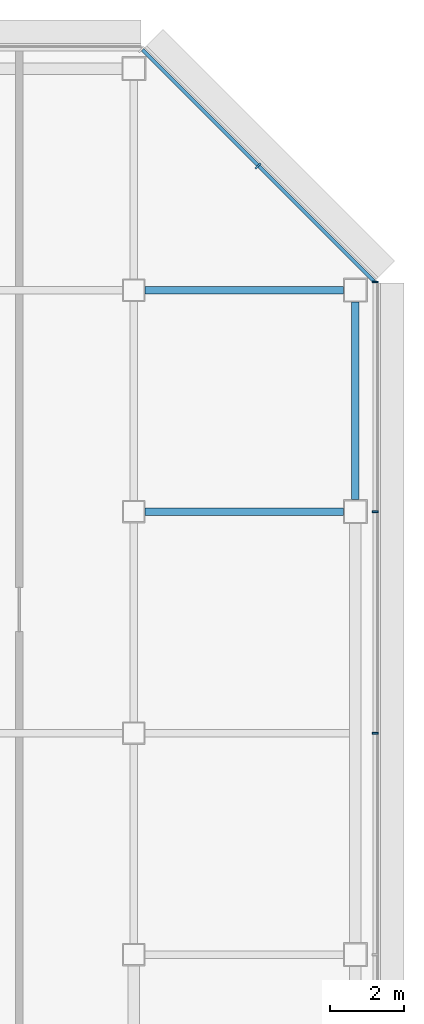
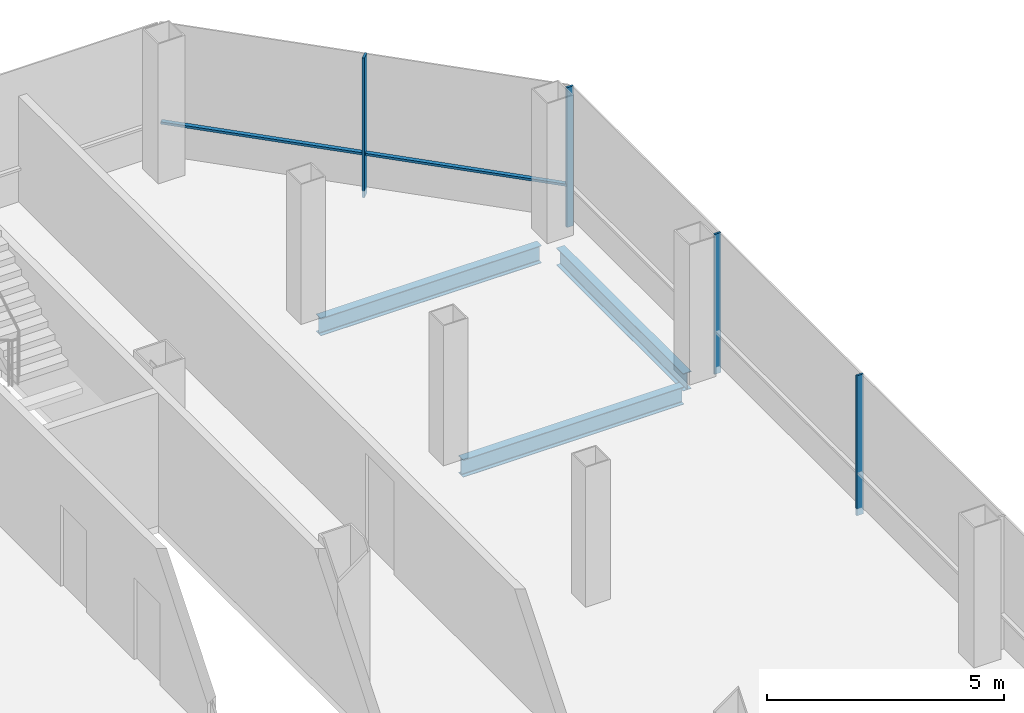
# One storey, part 18 of 26: 5 members, 3 beams, 2 elements without a shape of their own.
"""IFC4 building model written with IfcOpenShell, lengths in metres."""

from ifc_helpers import new_model, si_unit, direction, frame, origin, origin_2d, place, context, subcontext, project, spatial, rectangle, i_section, extrude, material, material_profile, profile_set, type_object, element, aggregate, save


model = new_model("IFC4")

# Units and contexts
model_context = context("Model", 3, precision=1e-05, world=origin(), true_north=direction((0.0, 1.0)))
body_context = subcontext(model_context, "Body", "Model", "MODEL_VIEW")
ifc_project = project(units=[si_unit("LENGTHUNIT", "METRE"), si_unit("AREAUNIT", "SQUARE_METRE"), si_unit("VOLUMEUNIT", "CUBIC_METRE"), si_unit("PLANEANGLEUNIT", "RADIAN"), si_unit("MASSUNIT", "GRAM", prefix="KILO")], contexts=[model_context])

# Site, building, storey
site_placement = place(None, origin())
site = spatial("IfcSite", under=ifc_project, at=site_placement, CompositionType="ELEMENT")
building_placement = place(site_placement, origin())
building = spatial("IfcBuilding", under=site, at=building_placement, Name="Sorahane Residences", CompositionType="ELEMENT")
storey_placement = place(building_placement, frame((0.0, 0.0, 222.60009765625)))
storey = spatial("IfcBuildingStorey", under=building, at=storey_placement, Name="L52", CompositionType="ELEMENT", Elevation=222.60009765625)

# Curtain wall, members
ifc_material_1 = material(Name="Dark low-e glass and black anodised aluminium", Category="aluminium")
curtain_wall_type_1 = type_object("IfcCurtainWallType", Name="Curtain wall CW-1 Typical unitised wall", PredefinedType="NOTDEFINED", material=ifc_material_1)
curtain_wall_1_placement = place(storey_placement, origin())
curtain_wall_1 = element("IfcCurtainWall", 1, at=curtain_wall_1_placement, inside=storey, type_object=curtain_wall_type_1, Name="CW-1 curtain wall L52 E1", PredefinedType="NOTDEFINED")
ifc_material_2 = material(Name="Black anodised aluminium", Category="aluminium")
ifc_material_profile_1 = material_profile(ifc_material_2, rectangle(XDim=0.159912109375, YDim=0.050048828125, at=origin_2d()), Name="Curtain wall mullion CW-1 black anodised aluminium 50x160")
ifc_profile_set_1 = profile_set([ifc_material_profile_1], Name="Black anodised aluminium")
member_type_1 = type_object("IfcMemberType", Name="Curtain wall mullion CW-1 black anodised aluminium 50x160", PredefinedType="MULLION", material=ifc_profile_set_1)
member_1_placement = place(storey_placement, frame((54.5400390625, 30.0, -0.18017578125), z_axis=(0.0, 0.0, 1.0), x_axis=(1.0, 0.0, 0.0)))
member_1 = element("IfcMember", 2, at=member_1_placement, type_object=member_type_1, Name="CW-1 mullion L52 E1.5", PredefinedType="MULLION", context=body_context, shape_type="SweptSolid", body=[
    extrude(rectangle(XDim=0.159912109375, YDim=0.050048828125, at=origin_2d()), origin(), (0.0, 0.0, 1.0), 3.60009765625),
])
member_2_placement = place(storey_placement, frame((54.5400390625, 36.0, -0.18017578125), z_axis=(0.0, 0.0, 1.0), x_axis=(1.0, 0.0, 0.0)))
member_2 = element("IfcMember", 3, at=member_2_placement, type_object=member_type_1, Name="CW-1 mullion L52 E1.6", PredefinedType="MULLION", context=body_context, shape_type="SweptSolid", body=[
    extrude(rectangle(XDim=0.159912109375, YDim=0.050048828125, at=origin_2d()), origin(), (0.0, 0.0, 1.0), 3.60009765625),
])
member_3_placement = place(storey_placement, frame((54.5400390625, 42.2236328125, -0.18017578125), z_axis=(0.0, 0.0, 1.0), x_axis=(1.0, 0.0, 0.0)))
member_3 = element("IfcMember", 4, at=member_3_placement, type_object=member_type_1, Name="CW-1 mullion L52 E1.7", PredefinedType="MULLION", context=body_context, shape_type="SweptSolid", body=[
    extrude(rectangle(XDim=0.159912109375, YDim=0.050048828125, at=origin_2d()), origin(), (0.0, 0.0, 1.0), 3.60009765625),
])
aggregate(curtain_wall_1, [member_1, member_2, member_3])

ifc_material_3 = material(Name="Dark low-e glass and black anodised aluminium", Category="aluminium")
curtain_wall_type_2 = type_object("IfcCurtainWallType", Name="Curtain wall CW-2 Chamfer unitised wall", PredefinedType="NOTDEFINED", material=ifc_material_3)
curtain_wall_2_placement = place(storey_placement, origin())
curtain_wall_2 = element("IfcCurtainWall", 5, at=curtain_wall_2_placement, inside=storey, type_object=curtain_wall_type_2, Name="CW-2 curtain wall L52 NE1", PredefinedType="NOTDEFINED")
ifc_material_4 = material(Name="Black anodised aluminium", Category="aluminium")
ifc_material_profile_2 = material_profile(ifc_material_4, rectangle(XDim=0.199951171875, YDim=0.050048828125, at=origin_2d()), Name="Curtain wall mullion CW-2 black anodised aluminium 50x200")
ifc_profile_set_2 = profile_set([ifc_material_profile_2], Name="Black anodised aluminium")
member_type_2 = type_object("IfcMemberType", Name="Curtain wall mullion CW-2 black anodised aluminium 50x200", PredefinedType="MULLION", material=ifc_profile_set_2)
member_4_placement = place(storey_placement, frame((51.36767578125, 45.36767578125, -0.18017578125), z_axis=(0.0, 0.0, 1.0), x_axis=(0.707106781187, 0.707106781187, 0.0)))
member_4 = element("IfcMember", 6, at=member_4_placement, type_object=member_type_2, Name="CW-2 mullion L52 NE1.2", PredefinedType="MULLION", context=body_context, shape_type="SweptSolid", body=[
    extrude(rectangle(XDim=0.199951171875, YDim=0.050048828125, at=origin_2d()), origin(), (0.0, 0.0, 1.0), 3.60009765625),
])
ifc_material_5 = material(Name="Black anodised aluminium", Category="aluminium")
ifc_material_profile_3 = material_profile(ifc_material_5, rectangle(XDim=0.10009765625, YDim=0.06005859375, at=origin_2d()), Name="Curtain wall transom CW-2 black anodised aluminium 60x100")
ifc_profile_set_3 = profile_set([ifc_material_profile_3], Name="Black anodised aluminium")
member_type_3 = type_object("IfcMemberType", Name="Curtain wall transom CW-2 black anodised aluminium 60x100", PredefinedType="USERDEFINED", material=ifc_profile_set_3)
member_5_placement = place(storey_placement, frame((54.51513671875, 42.234375, 0.89990234375), z_axis=(-0.707106781187, 0.707106781187, 0.0), x_axis=(-0.707106781187, -0.707106781187, 0.0)))
member_5 = element("IfcMember", 7, at=member_5_placement, type_object=member_type_3, Name="CW-2 transom L52 NE1", ObjectType="TRANSOM", PredefinedType="USERDEFINED", context=body_context, shape_type="SweptSolid", body=[
    extrude(rectangle(XDim=0.10009765625, YDim=0.06005859375, at=origin_2d()), origin(), (0.0, 0.0, 1.0), 8.88232421875),
])
aggregate(curtain_wall_2, [member_4, member_5])

# Beams
ifc_material_6 = material(Name="Steel Q355B", Category="steel")
ifc_material_profile_4 = material_profile(ifc_material_6, i_section(OverallWidth=0.199951171875, OverallDepth=0.449951171875, WebThickness=0.009033203125, FlangeThickness=0.013916015625, FilletRadius=0.02001953125, at=origin_2d()), Name="HN 450x200x9x14")
ifc_profile_set_4 = profile_set([ifc_material_profile_4], Name="Steel Q355B")
beam_type = type_object("IfcBeamType", Name="Steel floor beam HN 450x200x9x14 Q355B", PredefinedType="BEAM", material=ifc_profile_set_4)
beam_1_placement = place(storey_placement, frame((48.300048828125, 36.0, -0.405029296875), z_axis=(1.0, 0.0, 0.0), x_axis=(0.0, 1.0, 0.0)))
element("IfcBeam", 8, at=beam_1_placement, inside=storey, type_object=beam_type, Name="Beam L52 014", PredefinedType="BEAM", context=body_context, shape_type="SweptSolid", body=[
    extrude(i_section(OverallWidth=0.199951171875, OverallDepth=0.449951171875, WebThickness=0.009033203125, FlangeThickness=0.013916015625, FilletRadius=0.02001953125, at=origin_2d()), origin(), (0.0, 0.0, 1.0), 5.375),
])
beam_2_placement = place(storey_placement, frame((54.0, 36.324951171875, -0.405029296875), z_axis=(0.0, 1.0, 0.0), x_axis=(-1.0, 0.0, 0.0)))
element("IfcBeam", 9, at=beam_2_placement, inside=storey, type_object=beam_type, Name="Beam L52 067", PredefinedType="BEAM", context=body_context, shape_type="SweptSolid", body=[
    extrude(i_section(OverallWidth=0.199951171875, OverallDepth=0.449951171875, WebThickness=0.009033203125, FlangeThickness=0.013916015625, FilletRadius=0.02001953125, at=origin_2d()), origin(), (0.0, 0.0, 1.0), 5.35009765625),
])
beam_3_placement = place(storey_placement, frame((48.300048828125, 42.0, -0.405029296875), z_axis=(1.0, 0.0, 0.0), x_axis=(0.0, 1.0, 0.0)))
element("IfcBeam", 10, at=beam_3_placement, inside=storey, type_object=beam_type, Name="Beam L52 092", PredefinedType="BEAM", context=body_context, shape_type="SweptSolid", body=[
    extrude(i_section(OverallWidth=0.199951171875, OverallDepth=0.449951171875, WebThickness=0.009033203125, FlangeThickness=0.013916015625, FilletRadius=0.02001953125, at=origin_2d()), origin(), (0.0, 0.0, 1.0), 5.375),
])

save(model, "model.ifc")
